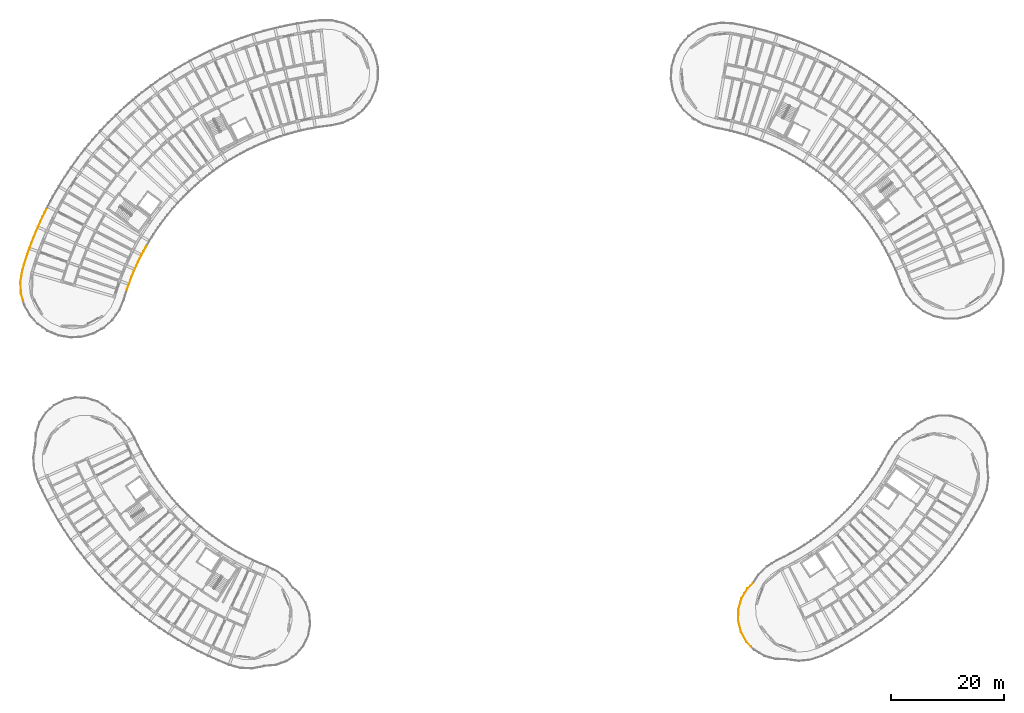
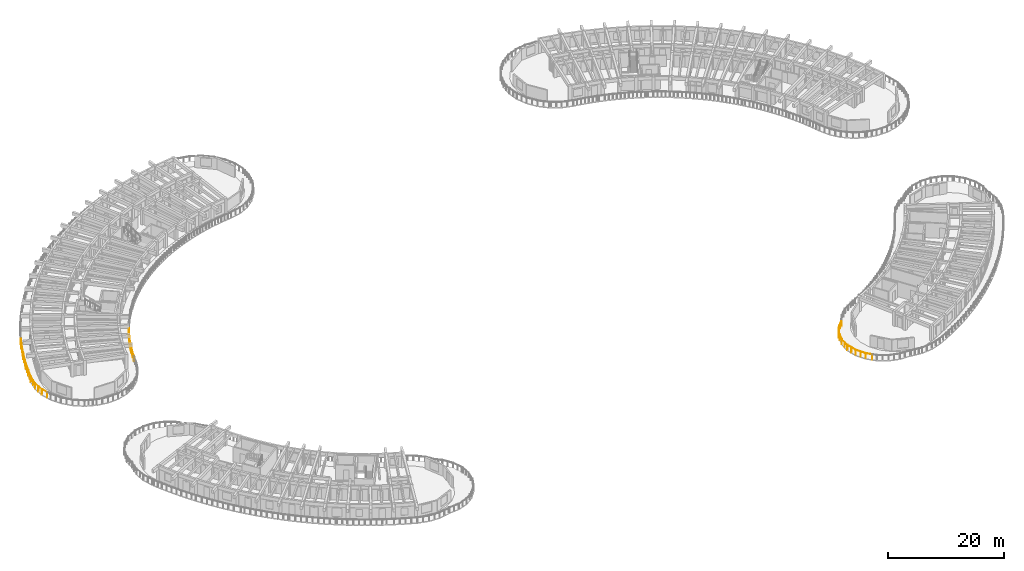
# One storey, part 46 of 56: 5 railings.
"""IFC4 building model written with IfcOpenShell, lengths in metres."""

import ifcopenshell
import ifcopenshell.guid

model = None  # the IFC model being written
_history = None  # IfcOwnerHistory: only IFC2X3 demands one
_inside = {}  # id of a spatial element -> (the spatial element, [elements in it])
_under = {}  # id of a project, library or spatial element -> (it, [spatial elements below it])
_declared = {}  # id of a project -> (the project, [libraries it declares])
_typed = {}  # id of a type object -> (the type object, [elements of that type])
_made_of = {}  # id of a material, layer set ... -> (it, [elements and type objects made of it])


def new_model(schema):
    """Start an empty IFC model of exactly this schema.

    Asked for "IFC4X3", IfcOpenShell would pick the latest addendum, in which some entities
    have other attributes; the version numbers below select the first issue.
    IFC2X3 requires an IfcOwnerHistory on every rooted entity: one is made here for all.
    """
    global model, _history
    if schema == "IFC4X3":
        model = ifcopenshell.file(schema_version=(4, 3, 0, 0))
    else:
        model = ifcopenshell.file(schema=schema)
    _inside.clear()
    _under.clear()
    _declared.clear()
    _typed.clear()
    _made_of.clear()
    _history = None
    if model.schema == "IFC2X3":
        org = make("IfcOrganization", Name="unknown")
        user = make(
            "IfcPersonAndOrganization",
            ThePerson=make("IfcPerson", FamilyName="unknown"),
            TheOrganization=org,
        )
        app = make(
            "IfcApplication",
            ApplicationDeveloper=org,
            Version="unknown",
            ApplicationFullName="unknown",
            ApplicationIdentifier="unknown",
        )
        _history = make(
            "IfcOwnerHistory",
            OwningUser=user,
            OwningApplication=app,
            ChangeAction="ADDED",
            CreationDate=0,
        )
    return model


def make(cls, **values):
    """One entity of the class cls with the attributes given. An attribute that is None is left unset."""
    return model.create_entity(
        cls, **{name: value for name, value in values.items() if value is not None}
    )


def rooted(cls, **values):
    """An entity with a GlobalId (a new one), such as an element, a storey or a relation."""
    return make(cls, GlobalId=ifcopenshell.guid.new(), OwnerHistory=_history, **values)


def si_unit(unit_type, name, prefix=None):
    """IfcSIUnit, for example si_unit("LENGTHUNIT", "METRE", prefix="MILLI")."""
    return make("IfcSIUnit", UnitType=unit_type, Prefix=prefix, Name=name)


def assignment(units):
    """IfcUnitAssignment: the units of a project."""
    return None if units is None else make("IfcUnitAssignment", Units=units)


def point(xyz):
    """IfcCartesianPoint."""
    return None if xyz is None else make("IfcCartesianPoint", Coordinates=xyz)


def direction(xyz):
    """IfcDirection."""
    return None if xyz is None else make("IfcDirection", DirectionRatios=xyz)


def frame(location, z_axis=None, x_axis=None):
    """IfcAxis2Placement3D, a coordinate frame: its origin and axes. An axis left out is left unset."""
    return make(
        "IfcAxis2Placement3D",
        Location=point(location),
        Axis=direction(z_axis),
        RefDirection=direction(x_axis),
    )


def frame_2d(location, x_axis=None):
    """IfcAxis2Placement2D, a coordinate frame in the plane: its origin and x axis."""
    return make(
        "IfcAxis2Placement2D", Location=point(location), RefDirection=direction(x_axis)
    )


def origin():
    """The frame at (0, 0, 0) with its axes left unset."""
    return frame((0.0, 0.0, 0.0))


def origin_2d():
    """The frame at (0, 0) in the plane with its x axis left unset."""
    return frame_2d((0.0, 0.0))


def place(relative_to, where):
    """IfcLocalPlacement: puts the frame where relative to a parent placement (None: the world)."""
    return make(
        "IfcLocalPlacement", PlacementRelTo=relative_to, RelativePlacement=where
    )


def context(
    kind, dimensions, precision=None, world=None, true_north=None, identifier=None
):
    """IfcGeometricRepresentationContext, for example the 3D "Model" context."""
    return make(
        "IfcGeometricRepresentationContext",
        ContextIdentifier=identifier,
        ContextType=kind,
        CoordinateSpaceDimension=dimensions,
        Precision=precision,
        WorldCoordinateSystem=world,
        TrueNorth=true_north,
    )


def subcontext(parent, identifier, kind, view, scale=None):
    """IfcGeometricRepresentationSubContext, for example "Body" below "Model"."""
    return make(
        "IfcGeometricRepresentationSubContext",
        ContextIdentifier=identifier,
        ContextType=kind,
        ParentContext=parent,
        TargetScale=scale,
        TargetView=view,
    )


def project(units=None, contexts=None):
    """IfcProject with its units and contexts."""
    return rooted(
        "IfcProject",
        Name="project",
        RepresentationContexts=contexts,
        UnitsInContext=assignment(units),
    )


def spatial(cls, under=None, at=None, **own):
    """A site, building, storey or space (cls), placed at a placement, below another one or the project."""
    s = rooted(cls, ObjectPlacement=at, **own)
    if under is not None:
        _under.setdefault(under.id(), (under, []))[1].append(s)
    return s


def profile(cls, at=None, kind="AREA", **sizes):
    """A parametric profile (cls). Its sizes go by their IFC names, for example OverallWidth=200.0."""
    return make(cls, ProfileType=kind, Position=at, **sizes)


def circle(**sizes):
    """IfcCircleProfileDef."""
    return profile("IfcCircleProfileDef", **sizes)


def extrude(swept, where, along, depth):
    """IfcExtrudedAreaSolid: the profile swept, set in the frame where, extruded along a direction by depth."""
    return make(
        "IfcExtrudedAreaSolid",
        SweptArea=swept,
        Position=where,
        ExtrudedDirection=direction(along),
        Depth=depth,
    )


def shape(context_of_items, identifier, shape_type, items):
    """IfcShapeRepresentation: the items that make up one representation, for example the "Body"."""
    return make(
        "IfcShapeRepresentation",
        ContextOfItems=context_of_items,
        RepresentationIdentifier=identifier,
        RepresentationType=shape_type,
        Items=items,
    )


def material(Name=None, Category=None):
    """IfcMaterial."""
    return make("IfcMaterial", Name=Name, Category=Category)


def made_of(thing, what):
    """Note that an element or type object is made of a material, layer set ...; save() writes the relation."""
    if what is not None:
        _made_of.setdefault(what.id(), (what, []))[1].append(thing)
    return thing


def type_object(cls, material=None, **own):
    """A type object (cls), such as IfcWallType, which elements share."""
    return made_of(rooted(cls, **own), material)


def element(
    cls,
    number,
    at=None,
    inside=None,
    cuts=None,
    type_object=None,
    material=None,
    context=None,
    identifier="Body",
    shape_type=None,
    held_by="IfcProductDefinitionShape",
    body=None,
    shapes=None,
    **own,
):
    """One element of the class cls, such as IfcWall. Its Tag is "e" and its number.

    at: its placement. inside: the storey or other place that contains it. cuts: it is an
    opening in that element (IfcRelVoidsElement). A single representation is given by context,
    identifier, shape_type and body (its items); several are given by shapes. held_by: the class
    of the entity that holds the representations. save() writes the other relations.
    """
    e = rooted(cls, Tag="e%d" % number, ObjectPlacement=at, **own)
    if body is not None:
        shapes = [shape(context, identifier, shape_type, body)]
    if shapes is not None:
        e.Representation = make(held_by, Representations=shapes)
    if inside is not None:
        _inside.setdefault(inside.id(), (inside, []))[1].append(e)
    if cuts is not None:
        rooted(
            "IfcRelVoidsElement", RelatingBuildingElement=cuts, RelatedOpeningElement=e
        )
    if type_object is not None:
        _typed.setdefault(type_object.id(), (type_object, []))[1].append(e)
    return made_of(e, material)


def aggregate(whole, parts):
    """IfcRelAggregates: a whole, such as a stair, and the parts it consists of."""
    return rooted("IfcRelAggregates", RelatingObject=whole, RelatedObjects=parts)


def save(model, path):
    """Write the relations noted so far, then the file.

    IfcRelAggregates (storeys below a building ...), IfcRelContainedInSpatialStructure (elements
    in a storey), IfcRelDefinesByType, IfcRelAssociatesMaterial and IfcRelDeclares: one each for
    every whole, place, type object, material and project.
    """
    for whole, parts in _under.values():
        aggregate(whole, parts)
    for where, things in _inside.values():
        rooted(
            "IfcRelContainedInSpatialStructure",
            RelatedElements=things,
            RelatingStructure=where,
        )
    for kind, things in _typed.values():
        rooted("IfcRelDefinesByType", RelatedObjects=things, RelatingType=kind)
    for what, things in _made_of.values():
        rooted("IfcRelAssociatesMaterial", RelatedObjects=things, RelatingMaterial=what)
    for by, libraries in _declared.values():
        rooted("IfcRelDeclares", RelatingContext=by, RelatedDefinitions=libraries)
    model.write(path)


model = new_model("IFC4")

# Units and contexts
model_context = context("Model", 3, precision=1e-05, world=origin(), true_north=direction((0.0, 1.0)))
body_context = subcontext(model_context, "Body", "Model", "MODEL_VIEW")
ifc_project = project(units=[si_unit("LENGTHUNIT", "METRE"), si_unit("AREAUNIT", "SQUARE_METRE"), si_unit("VOLUMEUNIT", "CUBIC_METRE"), si_unit("PLANEANGLEUNIT", "RADIAN"), si_unit("MASSUNIT", "GRAM", prefix="KILO")], contexts=[model_context])

# Site, building, storey
site_placement = place(None, origin())
site = spatial("IfcSite", under=ifc_project, at=site_placement, CompositionType="ELEMENT")
building_placement = place(site_placement, origin())
building = spatial("IfcBuilding", under=site, at=building_placement, Name="Tanwirah Colonnade Gardens", CompositionType="ELEMENT")
storey_placement = place(building_placement, frame((0.0, 0.0, 29.0)))
storey = spatial("IfcBuildingStorey", under=building, at=storey_placement, Name="L08", CompositionType="ELEMENT", Elevation=29.0)

# Railings
ifc_material = material(Name="Precast concrete C40/50", Category="concrete")
railing_type_1 = type_object("IfcRailingType", Name="BAL-EXT110", PredefinedType="BALUSTRADE", material=ifc_material)
railing_1_placement = place(storey_placement, frame((134.668212890625, 10.682373046875, 0.0)))
element("IfcRailing", 1, at=railing_1_placement, inside=storey, type_object=railing_type_1, Name="Block D L08 Balcony Ribbon Balustrade 15", PredefinedType="BALUSTRADE", context=body_context, shape_type="SweptSolid", body=[
    extrude(circle(Radius=0.02392578125, at=origin_2d()), frame((-0.021728515625, 0.0224609375, 1.076171875), z_axis=(-0.694728135281, 0.719272422695, 0.0), x_axis=(-0.719272422695, -0.694728135281, 0.0)), (0.0, 0.0, 1.0), 1.111328125),
    extrude(circle(Radius=0.02392578125, at=origin_2d()), frame((-0.83056640625, 0.87158203125, 1.076171875), z_axis=(-0.484757991648, 0.874648323347, 0.0), x_axis=(-0.874648323347, -0.484757991648, 0.0)), (0.0, 0.0, 1.0), 1.95263671875),
    extrude(circle(Radius=0.02392578125, at=origin_2d()), frame((-1.7998046875, 2.636962890625, 1.076171875), z_axis=(-0.241936954334, 0.970291971588, 0.0), x_axis=(-0.970291971588, -0.241936954334, 0.0)), (0.0, 0.0, 1.0), 1.95263671875),
    extrude(circle(Radius=0.02392578125, at=origin_2d()), frame((-2.279296875, 4.59326171875, 1.076171875), z_axis=(0.017445545298, 0.999847814894, 0.0), x_axis=(-0.999847814894, 0.017445545298, 0.0)), (0.0, 0.0, 1.0), 1.95263671875),
    extrude(circle(Radius=0.02392578125, at=origin_2d()), frame((-2.236083984375, 6.60693359375, 1.076171875), z_axis=(0.275627319757, 0.961264573676, 0.0), x_axis=(-0.961264573676, 0.275627319757, 0.0)), (0.0, 0.0, 1.0), 1.21826171875),
    extrude(circle(Radius=0.02099609375, at=origin_2d()), origin(), (0.0, 0.0, 1.0), 1.049072265625),
    extrude(circle(Radius=0.02099609375, at=origin_2d()), frame((-0.8154296875, 0.84423828125, 0.0)), (0.0, 0.0, 1.0), 1.049072265625),
    extrude(circle(Radius=0.02099609375, at=origin_2d()), frame((-1.3037109375, 1.7255859375, 0.0)), (0.0, 0.0, 1.0), 1.049072265625),
    extrude(circle(Radius=0.02099609375, at=origin_2d()), frame((-1.792236328125, 2.606689453125, 0.0)), (0.0, 0.0, 1.0), 1.049072265625),
    extrude(circle(Radius=0.02099609375, at=origin_2d()), frame((-2.0361328125, 3.58447265625, 0.0)), (0.0, 0.0, 1.0), 1.049072265625),
    extrude(circle(Radius=0.02099609375, at=origin_2d()), frame((-2.27978515625, 4.56201171875, 0.0)), (0.0, 0.0, 1.0), 1.049072265625),
    extrude(circle(Radius=0.02099609375, at=origin_2d()), frame((-2.26220703125, 5.5693359375, 0.0)), (0.0, 0.0, 1.0), 1.049072265625),
    extrude(circle(Radius=0.02099609375, at=origin_2d()), frame((-2.24462890625, 6.576904296875, 0.0)), (0.0, 0.0, 1.0), 1.049072265625),
    extrude(circle(Radius=0.02099609375, at=origin_2d()), frame((-1.8916015625, 7.80810546875, 0.0)), (0.0, 0.0, 1.0), 1.049072265625),
])
railing_2_placement = place(storey_placement, frame((132.776611328125, 18.490478515625, 0.0)))
element("IfcRailing", 2, at=railing_2_placement, inside=storey, type_object=railing_type_1, Name="Block D L08 Balcony Ribbon Balustrade 16", PredefinedType="BALUSTRADE", context=body_context, shape_type="SweptSolid", body=[
    extrude(circle(Radius=0.02392578125, at=origin_2d()), frame((0.008544921875, 0.030029296875, 1.076171875), z_axis=(0.27564322093, 0.961260014125, 0.0), x_axis=(-0.961260014125, 0.27564322093, 0.0)), (0.0, 0.0, 1.0), 0.671630859375),
    extrude(circle(Radius=0.02392578125, at=origin_2d()), frame((0.218505859375, 0.732666015625, 1.076171875), z_axis=(0.515030163095, 0.857172054551, 0.0), x_axis=(-0.857172054551, 0.515030163095, 0.0)), (0.0, 0.0, 1.0), 1.95263671875),
    extrude(circle(Radius=0.02392578125, at=origin_2d()), frame((1.2626953125, 2.454833984375, 1.076171875), z_axis=(0.719312923953, 0.694686200694, 0.0), x_axis=(-0.694686200694, 0.719312923953, 0.0)), (0.0, 0.0, 1.0), 1.3154296875),
    extrude(circle(Radius=0.02099609375, at=origin_2d()), origin(), (0.0, 0.0, 1.0), 1.049072265625),
    extrude(circle(Radius=0.02099609375, at=origin_2d()), frame((0.202392578125, 0.705810546875, 0.0)), (0.0, 0.0, 1.0), 1.049072265625),
    extrude(circle(Radius=0.02099609375, at=origin_2d()), frame((0.72119140625, 1.5693359375, 0.0)), (0.0, 0.0, 1.0), 1.049072265625),
    extrude(circle(Radius=0.02099609375, at=origin_2d()), frame((1.240234375, 2.43310546875, 0.0)), (0.0, 0.0, 1.0), 1.049072265625),
    extrude(circle(Radius=0.02099609375, at=origin_2d()), frame((1.73583984375, 2.91162109375, 0.0)), (0.0, 0.0, 1.0), 1.049072265625),
    extrude(circle(Radius=0.02099609375, at=origin_2d()), frame((2.2314453125, 3.390380859375, 0.0)), (0.0, 0.0, 1.0), 1.049072265625),
])
railing_type_2 = type_object("IfcRailingType", Name="BAL-EXT112", PredefinedType="BALUSTRADE", material=ifc_material)
railing_3_placement = place(storey_placement, frame((27.947509765625, 81.373046875, 0.0)))
element("IfcRailing", 3, at=railing_3_placement, inside=storey, type_object=railing_type_2, Name="Block A L08 Balcony Ribbon Balustrade 6", PredefinedType="BALUSTRADE", context=body_context, shape_type="SweptSolid", body=[
    extrude(circle(Radius=0.02392578125, at=origin_2d()), frame((-0.015625, -0.027099609375, 1.09619140625), z_axis=(-0.502423717067, -0.864621540634, 0.0), x_axis=(0.864621540634, -0.502423717067, 0.0)), (0.0, 0.0, 1.0), 0.32568359375),
    extrude(circle(Radius=0.02392578125, at=origin_2d()), frame((-0.211181640625, -0.365478515625, 1.09619140625), z_axis=(-0.473716211853, -0.880677552018, 0.0), x_axis=(0.880677552018, -0.473716211853, 0.0)), (0.0, 0.0, 1.0), 1.341796875),
    extrude(circle(Radius=0.02392578125, at=origin_2d()), frame((-0.876708984375, -1.60498046875, 1.09619140625), z_axis=(-0.444499692011, -0.895779003885, 0.0), x_axis=(0.895779003885, -0.444499692011, 0.0)), (0.0, 0.0, 1.0), 1.341796875),
    extrude(circle(Radius=0.02392578125, at=origin_2d()), frame((-1.501220703125, -2.865966796875, 1.09619140625), z_axis=(-0.414654197084, -0.909979063957, 0.0), x_axis=(0.909979063957, -0.414654197084, 0.0)), (0.0, 0.0, 1.0), 1.341796875),
    extrude(circle(Radius=0.02392578125, at=origin_2d()), frame((-2.08349609375, -4.146484375, 1.09619140625), z_axis=(-0.384541319971, -0.923107779858, 0.0), x_axis=(0.923107779858, -0.384541319971, 0.0)), (0.0, 0.0, 1.0), 1.341796875),
    extrude(circle(Radius=0.02392578125, at=origin_2d()), frame((-2.62353515625, -5.44580078125, 1.09619140625), z_axis=(-0.353789339155, -0.935325132508, 0.0), x_axis=(0.935325132508, -0.353789339155, 0.0)), (0.0, 0.0, 1.0), 1.341796875),
    extrude(circle(Radius=0.02392578125, at=origin_2d()), frame((-3.120361328125, -6.761962890625, 1.09619140625), z_axis=(-0.322900627553, -0.946432873862, 0.0), x_axis=(0.946432873862, -0.322900627553, 0.0)), (0.0, 0.0, 1.0), 1.011962890625),
    extrude(circle(Radius=0.02099609375, at=origin_2d()), origin(), (0.0, 0.0, 1.0), 1.069091796875),
    extrude(circle(Radius=0.02099609375, at=origin_2d()), frame((-0.195068359375, -0.335693359375, 0.0)), (0.0, 0.0, 1.0), 1.069091796875),
    extrude(circle(Radius=0.02099609375, at=origin_2d()), frame((-0.52880859375, -0.956298828125, 0.0)), (0.0, 0.0, 1.0), 1.069091796875),
    extrude(circle(Radius=0.02099609375, at=origin_2d()), frame((-0.861572265625, -1.57470703125, 0.0)), (0.0, 0.0, 1.0), 1.069091796875),
    extrude(circle(Radius=0.02099609375, at=origin_2d()), frame((-1.1748046875, -2.2060546875, 0.0)), (0.0, 0.0, 1.0), 1.069091796875),
    extrude(circle(Radius=0.02099609375, at=origin_2d()), frame((-1.487060546875, -2.8349609375, 0.0)), (0.0, 0.0, 1.0), 1.069091796875),
    extrude(circle(Radius=0.02099609375, at=origin_2d()), frame((-1.779296875, -3.476318359375, 0.0)), (0.0, 0.0, 1.0), 1.069091796875),
    extrude(circle(Radius=0.02099609375, at=origin_2d()), frame((-2.070556640625, -4.115234375, 0.0)), (0.0, 0.0, 1.0), 1.069091796875),
    extrude(circle(Radius=0.02099609375, at=origin_2d()), frame((-2.341552734375, -4.765869140625, 0.0)), (0.0, 0.0, 1.0), 1.069091796875),
    extrude(circle(Radius=0.02099609375, at=origin_2d()), frame((-2.611572265625, -5.4140625, 0.0)), (0.0, 0.0, 1.0), 1.069091796875),
    extrude(circle(Radius=0.02099609375, at=origin_2d()), frame((-2.86083984375, -6.0732421875, 0.0)), (0.0, 0.0, 1.0), 1.069091796875),
    extrude(circle(Radius=0.02099609375, at=origin_2d()), frame((-3.109375, -6.72998046875, 0.0)), (0.0, 0.0, 1.0), 1.069091796875),
    extrude(circle(Radius=0.02099609375, at=origin_2d()), frame((-3.457275390625, -7.749267578125, 0.0)), (0.0, 0.0, 1.0), 1.069091796875),
])
railing_4_placement = place(storey_placement, frame((6.184814453125, 71.72998046875, 0.0)))
element("IfcRailing", 4, at=railing_4_placement, inside=storey, type_object=railing_type_2, Name="Block A L08 Balcony Ribbon Balustrade 10", PredefinedType="BALUSTRADE", context=body_context, shape_type="SweptSolid", body=[
    extrude(circle(Radius=0.02392578125, at=origin_2d()), frame((-0.0087890625, 0.030029296875, 1.09619140625), z_axis=(-0.278016434724, 0.960576317646, 0.0), x_axis=(-0.960576317646, -0.278016434724, 0.0)), (0.0, 0.0, 1.0), 1.21875),
    extrude(circle(Radius=0.02392578125, at=origin_2d()), frame((-0.35791015625, 1.261962890625, 1.09619140625), z_axis=(-0.057322977065, 0.998355686266, 0.0), x_axis=(-0.998355686266, -0.057322977065, 0.0)), (0.0, 0.0, 1.0), 2.0244140625),
    extrude(circle(Radius=0.02392578125, at=origin_2d()), frame((-0.470703125, 3.344970703125, 1.09619140625), z_axis=(0.166292387508, 0.986076488847, 0.0), x_axis=(-0.986076488847, 0.166292387508, 0.0)), (0.0, 0.0, 1.0), 2.028076171875),
    extrude(circle(Radius=0.02392578125, at=origin_2d()), frame((-0.119140625, 5.405517578125, 1.09619140625), z_axis=(0.291363831298, 0.956612313224, 0.0), x_axis=(-0.956612313224, 0.291363831298, 0.0)), (0.0, 0.0, 1.0), 1.955078125),
    extrude(circle(Radius=0.02392578125, at=origin_2d()), frame((0.4697265625, 7.33544921875, 1.09619140625), z_axis=(0.322945869443, 0.946417437186, 0.0), x_axis=(-0.946417437186, 0.322945869443, 0.0)), (0.0, 0.0, 1.0), 0.961181640625),
    extrude(circle(Radius=0.02099609375, at=origin_2d()), origin(), (0.0, 0.0, 1.0), 1.069091796875),
    extrude(circle(Radius=0.02099609375, at=origin_2d()), frame((-0.356201171875, 1.230712890625, 0.0)), (0.0, 0.0, 1.0), 1.069091796875),
    extrude(circle(Radius=0.02099609375, at=origin_2d()), frame((-0.416015625, 2.2724609375, 0.0)), (0.0, 0.0, 1.0), 1.069091796875),
    extrude(circle(Radius=0.02099609375, at=origin_2d()), frame((-0.475830078125, 3.314208984375, 0.0)), (0.0, 0.0, 1.0), 1.069091796875),
    extrude(circle(Radius=0.02099609375, at=origin_2d()), frame((-0.302001953125, 4.344970703125, 0.0)), (0.0, 0.0, 1.0), 1.069091796875),
    extrude(circle(Radius=0.02099609375, at=origin_2d()), frame((-0.128173828125, 5.375732421875, 0.0)), (0.0, 0.0, 1.0), 1.069091796875),
    extrude(circle(Radius=0.02099609375, at=origin_2d()), frame((0.165771484375, 6.3408203125, 0.0)), (0.0, 0.0, 1.0), 1.069091796875),
    extrude(circle(Radius=0.02099609375, at=origin_2d()), frame((0.459716796875, 7.305908203125, 0.0)), (0.0, 0.0, 1.0), 1.069091796875),
    extrude(circle(Radius=0.02099609375, at=origin_2d()), frame((0.790283203125, 8.274658203125, 0.0)), (0.0, 0.0, 1.0), 1.069091796875),
])
railing_5_placement = place(storey_placement, frame((6.97509765625, 80.004638671875, 0.0)))
element("IfcRailing", 5, at=railing_5_placement, inside=storey, type_object=railing_type_2, Name="Block A L08 Balcony Ribbon Balustrade 11", PredefinedType="BALUSTRADE", context=body_context, shape_type="SweptSolid", body=[
    extrude(circle(Radius=0.02392578125, at=origin_2d()), frame((0.010009765625, 0.029541015625, 1.09619140625), z_axis=(0.322753642414, 0.946483008991, 0.0), x_axis=(-0.946483008991, 0.322753642414, 0.0)), (0.0, 0.0, 1.0), 0.935302734375),
    extrude(circle(Radius=0.02392578125, at=origin_2d()), frame((0.3330078125, 0.9736328125, 1.09619140625), z_axis=(0.353874964852, 0.935292739869, 0.0), x_axis=(-0.935292739869, 0.353874964852, 0.0)), (0.0, 0.0, 1.0), 1.958984375),
    extrude(circle(Radius=0.02392578125, at=origin_2d()), frame((1.04931640625, 2.86376953125, 1.09619140625), z_axis=(0.384409566544, 0.92316265368, 0.0), x_axis=(-0.92316265368, 0.384409566544, 0.0)), (0.0, 0.0, 1.0), 1.958984375),
    extrude(circle(Radius=0.02392578125, at=origin_2d()), frame((1.827392578125, 4.729736328125, 1.09619140625), z_axis=(0.414749084938, 0.909935820013, 0.0), x_axis=(-0.909935820013, 0.414749084938, 0.0)), (0.0, 0.0, 1.0), 1.958984375),
    extrude(circle(Radius=0.02392578125, at=origin_2d()), frame((2.666748046875, 6.568603515625, 1.09619140625), z_axis=(0.444426333087, 0.895815401999, 0.0), x_axis=(-0.895815401999, 0.444426333087, 0.0)), (0.0, 0.0, 1.0), 1.375),
    extrude(circle(Radius=0.02099609375, at=origin_2d()), origin(), (0.0, 0.0, 1.0), 1.069091796875),
    extrude(circle(Radius=0.02099609375, at=origin_2d()), frame((0.322021484375, 0.9443359375, 0.0)), (0.0, 0.0, 1.0), 1.069091796875),
    extrude(circle(Radius=0.02099609375, at=origin_2d()), frame((0.6796875, 1.8896484375, 0.0)), (0.0, 0.0, 1.0), 1.069091796875),
    extrude(circle(Radius=0.02099609375, at=origin_2d()), frame((1.037353515625, 2.8349609375, 0.0)), (0.0, 0.0, 1.0), 1.069091796875),
    extrude(circle(Radius=0.02099609375, at=origin_2d()), frame((1.42578125, 3.76806640625, 0.0)), (0.0, 0.0, 1.0), 1.069091796875),
    extrude(circle(Radius=0.02099609375, at=origin_2d()), frame((1.814453125, 4.701171875, 0.0)), (0.0, 0.0, 1.0), 1.069091796875),
    extrude(circle(Radius=0.02099609375, at=origin_2d()), frame((2.233642578125, 5.620849609375, 0.0)), (0.0, 0.0, 1.0), 1.069091796875),
    extrude(circle(Radius=0.02099609375, at=origin_2d()), frame((2.65283203125, 6.54052734375, 0.0)), (0.0, 0.0, 1.0), 1.069091796875),
    extrude(circle(Radius=0.02099609375, at=origin_2d()), frame((2.97216796875, 7.1845703125, 0.0)), (0.0, 0.0, 1.0), 1.069091796875),
    extrude(circle(Radius=0.02099609375, at=origin_2d()), frame((3.291748046875, 7.828369140625, 0.0)), (0.0, 0.0, 1.0), 1.069091796875),
])

save(model, "model.ifc")
